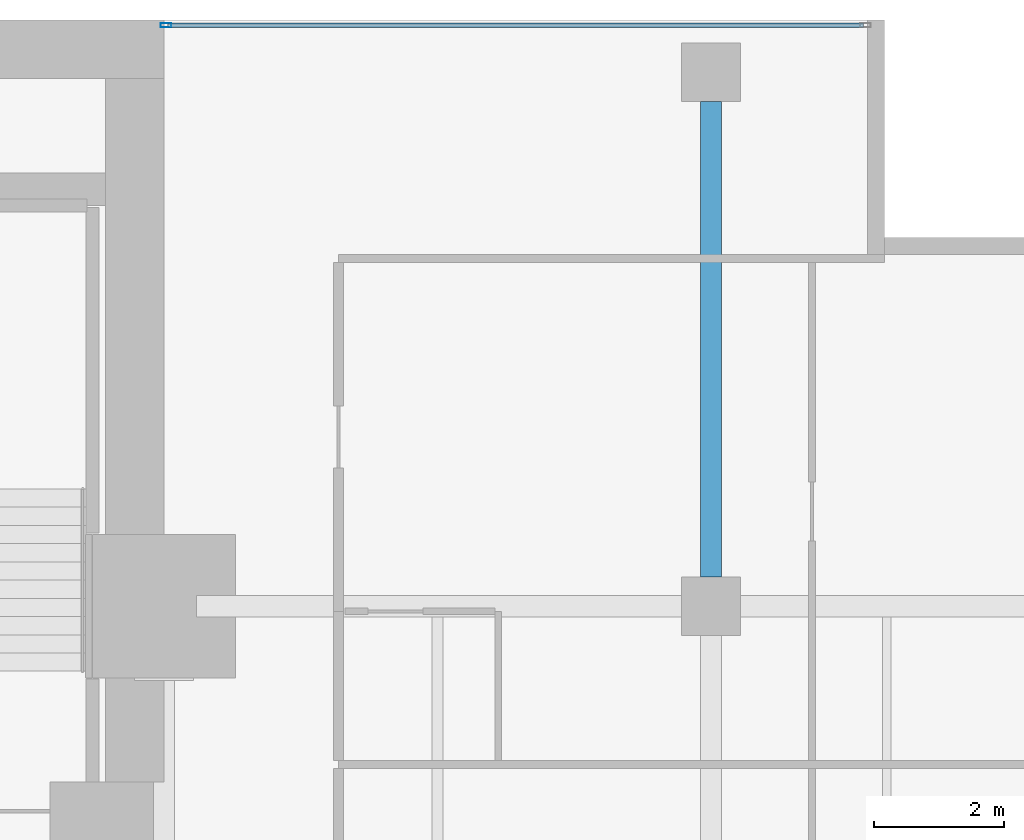
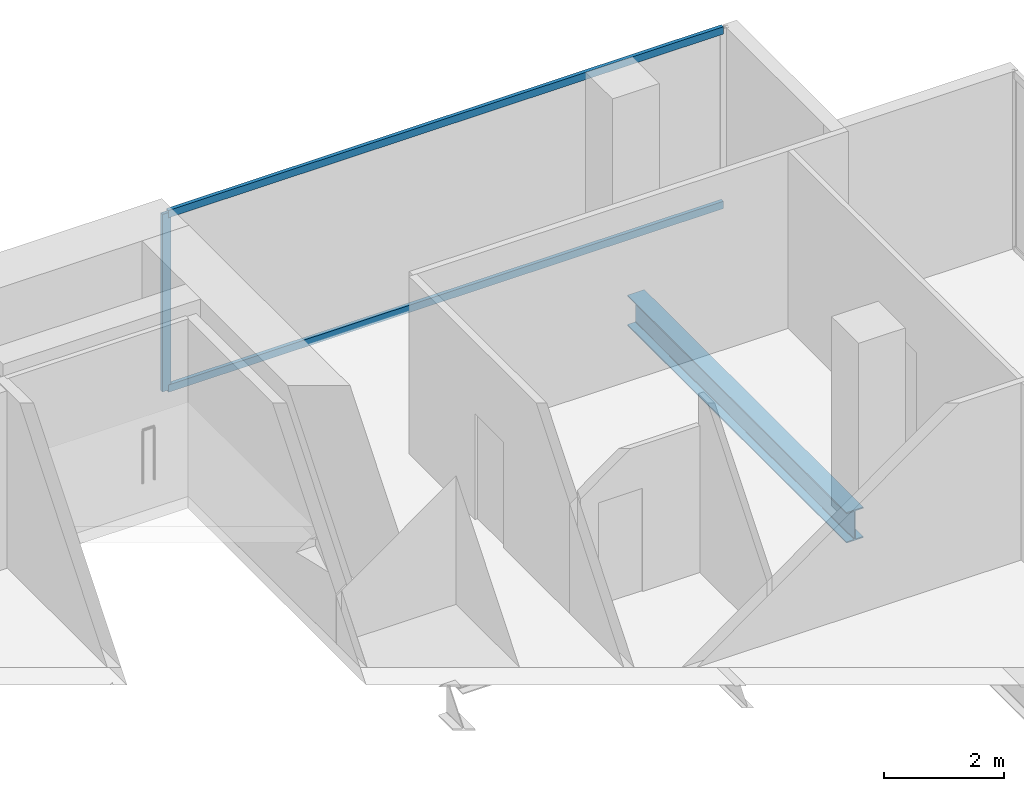
# One storey, part 30 of 41: 3 members, 1 beam, 1 element without a shape of its own.
"""IFC4 building model written with IfcOpenShell, lengths in metres."""

from ifc_helpers import new_model, si_unit, direction, frame, origin, origin_2d, place, context, subcontext, project, spatial, hollow_rectangle, i_section, extrude, material, layer, layer_set, material_profile, profile_set, type_object, element, aggregate, save


model = new_model("IFC4")

# Units and contexts
model_context = context("Model", 3, precision=1e-05, world=origin(), true_north=direction((0.0, 1.0)))
body_context = subcontext(model_context, "Body", "Model", "MODEL_VIEW")
ifc_project = project(units=[si_unit("LENGTHUNIT", "METRE"), si_unit("AREAUNIT", "SQUARE_METRE"), si_unit("VOLUMEUNIT", "CUBIC_METRE"), si_unit("PLANEANGLEUNIT", "RADIAN"), si_unit("MASSUNIT", "GRAM", prefix="KILO")], contexts=[model_context])

# Site, building, storey
site_placement = place(None, origin())
site = spatial("IfcSite", under=ifc_project, at=site_placement, CompositionType="ELEMENT")
building_placement = place(site_placement, origin())
building = spatial("IfcBuilding", under=site, at=building_placement, Name="Maruvema Waterfront Hotel and Observation Tower", CompositionType="ELEMENT")
storey_placement = place(building_placement, frame((0.0, 0.0, 61.60009765625)))
storey = spatial("IfcBuildingStorey", under=building, at=storey_placement, Name="L14", CompositionType="ELEMENT", Elevation=61.60009765625)

# Curtain wall, members
ifc_material_1 = material(Name="Anodised bronze aluminium and solar-control low-E IGU", Category="aluminium")
ifc_layer = layer(ifc_material_1, 0.159912109375, Name="Zone 1 Bronze Inner Thermal Curtain Wall System CW-02")
ifc_layer_set = layer_set([ifc_layer], Name="Anodised bronze aluminium and solar-control low-E IGU")
curtain_wall_type = type_object("IfcCurtainWallType", Name="Zone 1 Bronze Inner Thermal Curtain Wall System CW-02", PredefinedType="USERDEFINED", material=ifc_layer_set)
curtain_wall_placement = place(storey_placement, origin())
curtain_wall = element("IfcCurtainWall", 1, at=curtain_wall_placement, inside=storey, type_object=curtain_wall_type, Name="L14 Curtain Wall CW-L14-NE", ObjectType="UNITISED CURTAIN WALL", PredefinedType="USERDEFINED")
ifc_material_2 = material(Name="Anodised architectural bronze aluminium", Category="aluminium")
ifc_material_profile_1 = material_profile(ifc_material_2, hollow_rectangle(XDim=0.070068359375, YDim=0.14990234375, WallThickness=0.00390625, at=origin_2d()), Name="ALU-T70x150")
ifc_profile_set_1 = profile_set([ifc_material_profile_1], Name="Anodised architectural bronze aluminium")
member_type_1 = type_object("IfcMemberType", Name="Curtain Wall Horizontal Transom ALU-T70x150", PredefinedType="USERDEFINED", material=ifc_profile_set_1)
member_1_placement = place(storey_placement, frame((61.139892578125, 53.919921875, 0.02978515625), z_axis=(-1.0, 0.0, 0.0), x_axis=(0.0, -1.0, 0.0)))
member_1 = element("IfcMember", 2, at=member_1_placement, type_object=member_type_1, Name="CW-02 transom 1.1", ObjectType="TRANSOM", PredefinedType="USERDEFINED", context=body_context, shape_type="SweptSolid", body=[
    extrude(hollow_rectangle(XDim=0.070068359375, YDim=0.14990234375, WallThickness=0.00390625, at=origin_2d()), origin(), (0.0, 0.0, 1.0), 10.679931640625),
])
member_2_placement = place(storey_placement, frame((61.139892578125, 53.919921875, 3.579833984375), z_axis=(-1.0, 0.0, 0.0), x_axis=(0.0, -1.0, 0.0)))
member_2 = element("IfcMember", 3, at=member_2_placement, type_object=member_type_1, Name="CW-02 transom 1.2", ObjectType="TRANSOM", PredefinedType="USERDEFINED", context=body_context, shape_type="SweptSolid", body=[
    extrude(hollow_rectangle(XDim=0.070068359375, YDim=0.14990234375, WallThickness=0.00390625, at=origin_2d()), origin(), (0.0, 0.0, 1.0), 10.679931640625),
])
ifc_material_3 = material(Name="Anodised architectural bronze aluminium", Category="aluminium")
ifc_material_profile_2 = material_profile(ifc_material_3, hollow_rectangle(XDim=0.06494140625, YDim=0.1650390625, WallThickness=0.00390625, at=origin_2d()), Name="ALU-M65x165")
ifc_profile_set_2 = profile_set([ifc_material_profile_2], Name="Anodised architectural bronze aluminium")
member_type_2 = type_object("IfcMemberType", Name="Curtain Wall Primary Mullion ALU-M65x165", PredefinedType="MULLION", material=ifc_profile_set_2)
member_3_placement = place(storey_placement, frame((50.429931640625, 53.919921875, 0.0), z_axis=(0.0, 0.0, 1.0), x_axis=(0.0, -1.0, 0.0)))
member_3 = element("IfcMember", 4, at=member_3_placement, type_object=member_type_2, Name="CW-02 mullion 2", PredefinedType="MULLION", context=body_context, shape_type="SweptSolid", body=[
    extrude(hollow_rectangle(XDim=0.06494140625, YDim=0.1650390625, WallThickness=0.00390625, at=origin_2d()), origin(), (0.0, 0.0, 1.0), 3.60986328125),
])
aggregate(curtain_wall, [member_3, member_1, member_2])

# Beam
ifc_material_4 = material(Name="Steel ASTM A572 Grade 50", Category="steel")
ifc_material_profile_3 = material_profile(ifc_material_4, i_section(OverallWidth=0.326904296875, OverallDepth=0.6220703125, WebThickness=0.015380859375, FlangeThickness=0.0244140625, FilletRadius=0.01806640625, at=origin_2d()), Name="W610x195.0")
ifc_profile_set_3 = profile_set([ifc_material_profile_3], Name="Steel ASTM A572 Grade 50")
beam_type = type_object("IfcBeamType", Name="Primary Floor Girder W610x195.0", PredefinedType="BEAM", material=ifc_profile_set_3)
beam_placement = place(storey_placement, frame((58.800048828125, 45.449951171875, -0.551025390625), z_axis=(0.0, 1.0, 0.0), x_axis=(-1.0, 0.0, 0.0)))
element("IfcBeam", 5, at=beam_placement, inside=storey, type_object=beam_type, Name="L14 Floor Girder NS-32", PredefinedType="BEAM", context=body_context, shape_type="SweptSolid", body=[
    extrude(i_section(OverallWidth=0.326904296875, OverallDepth=0.6220703125, WebThickness=0.015380859375, FlangeThickness=0.0244140625, FilletRadius=0.01806640625, at=origin_2d()), origin(), (0.0, 0.0, 1.0), 7.300048828125),
])

save(model, "model.ifc")
